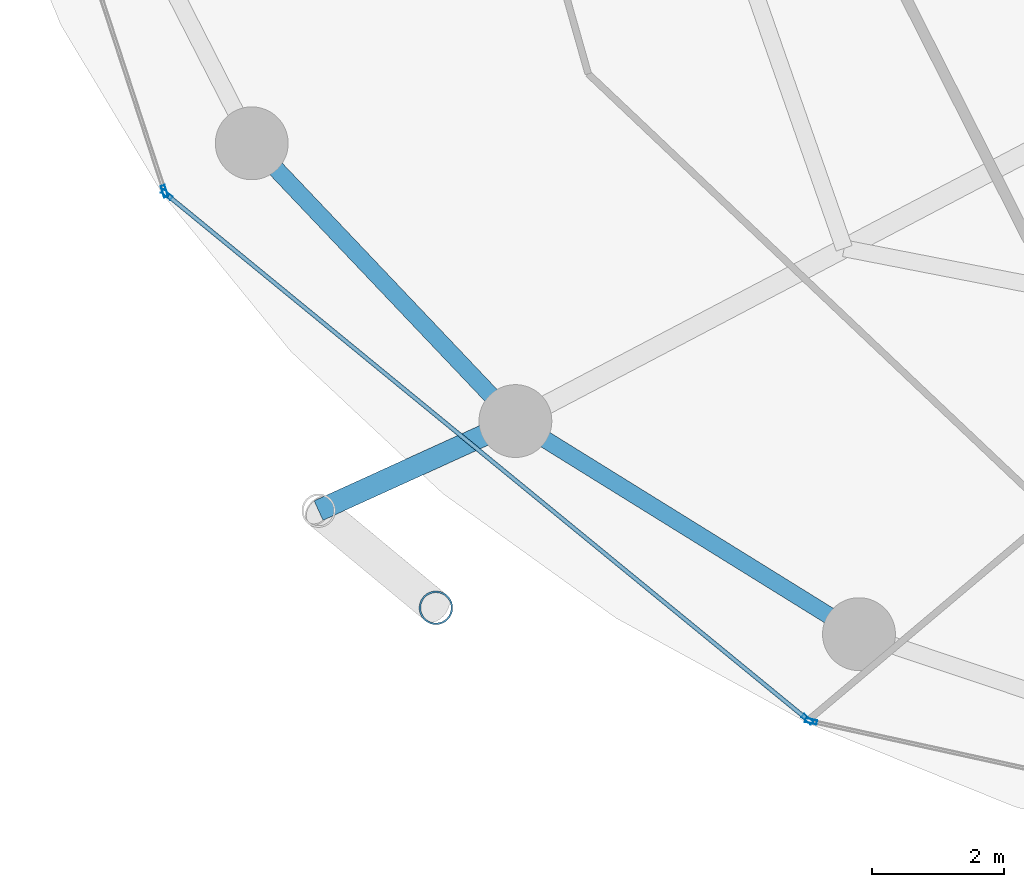
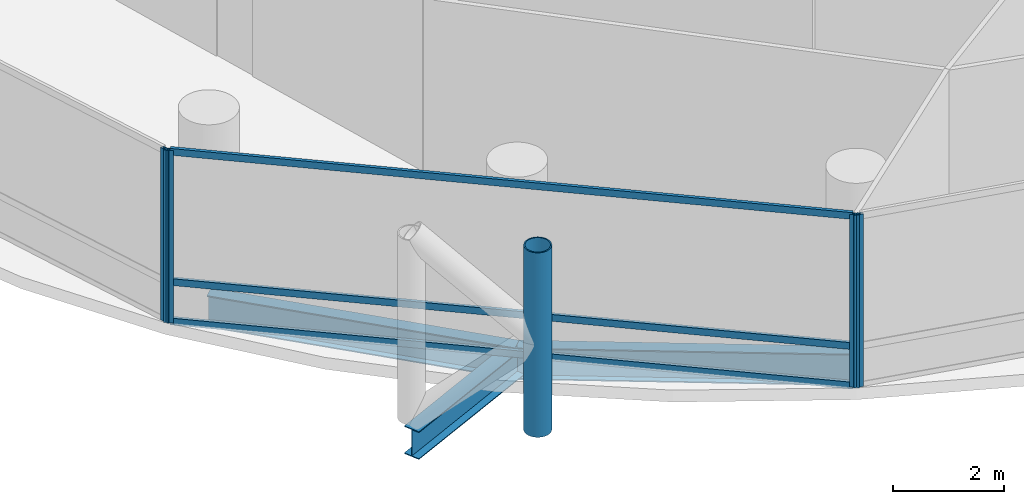
# One storey, part 2 of 24: 8 members, 3 beams, 3 elements without a shape of their own.
"""IFC4 building model written with IfcOpenShell, lengths in metres."""

import ifcopenshell
import ifcopenshell.guid

model = None  # the IFC model being written
_history = None  # IfcOwnerHistory: only IFC2X3 demands one
_inside = {}  # id of a spatial element -> (the spatial element, [elements in it])
_under = {}  # id of a project, library or spatial element -> (it, [spatial elements below it])
_declared = {}  # id of a project -> (the project, [libraries it declares])
_typed = {}  # id of a type object -> (the type object, [elements of that type])
_made_of = {}  # id of a material, layer set ... -> (it, [elements and type objects made of it])


def new_model(schema):
    """Start an empty IFC model of exactly this schema.

    Asked for "IFC4X3", IfcOpenShell would pick the latest addendum, in which some entities
    have other attributes; the version numbers below select the first issue.
    IFC2X3 requires an IfcOwnerHistory on every rooted entity: one is made here for all.
    """
    global model, _history
    if schema == "IFC4X3":
        model = ifcopenshell.file(schema_version=(4, 3, 0, 0))
    else:
        model = ifcopenshell.file(schema=schema)
    _inside.clear()
    _under.clear()
    _declared.clear()
    _typed.clear()
    _made_of.clear()
    _history = None
    if model.schema == "IFC2X3":
        org = make("IfcOrganization", Name="unknown")
        user = make(
            "IfcPersonAndOrganization",
            ThePerson=make("IfcPerson", FamilyName="unknown"),
            TheOrganization=org,
        )
        app = make(
            "IfcApplication",
            ApplicationDeveloper=org,
            Version="unknown",
            ApplicationFullName="unknown",
            ApplicationIdentifier="unknown",
        )
        _history = make(
            "IfcOwnerHistory",
            OwningUser=user,
            OwningApplication=app,
            ChangeAction="ADDED",
            CreationDate=0,
        )
    return model


def make(cls, **values):
    """One entity of the class cls with the attributes given. An attribute that is None is left unset."""
    return model.create_entity(
        cls, **{name: value for name, value in values.items() if value is not None}
    )


def rooted(cls, **values):
    """An entity with a GlobalId (a new one), such as an element, a storey or a relation."""
    return make(cls, GlobalId=ifcopenshell.guid.new(), OwnerHistory=_history, **values)


def si_unit(unit_type, name, prefix=None):
    """IfcSIUnit, for example si_unit("LENGTHUNIT", "METRE", prefix="MILLI")."""
    return make("IfcSIUnit", UnitType=unit_type, Prefix=prefix, Name=name)


def assignment(units):
    """IfcUnitAssignment: the units of a project."""
    return None if units is None else make("IfcUnitAssignment", Units=units)


def point(xyz):
    """IfcCartesianPoint."""
    return None if xyz is None else make("IfcCartesianPoint", Coordinates=xyz)


def direction(xyz):
    """IfcDirection."""
    return None if xyz is None else make("IfcDirection", DirectionRatios=xyz)


def frame(location, z_axis=None, x_axis=None):
    """IfcAxis2Placement3D, a coordinate frame: its origin and axes. An axis left out is left unset."""
    return make(
        "IfcAxis2Placement3D",
        Location=point(location),
        Axis=direction(z_axis),
        RefDirection=direction(x_axis),
    )


def frame_2d(location, x_axis=None):
    """IfcAxis2Placement2D, a coordinate frame in the plane: its origin and x axis."""
    return make(
        "IfcAxis2Placement2D", Location=point(location), RefDirection=direction(x_axis)
    )


def origin():
    """The frame at (0, 0, 0) with its axes left unset."""
    return frame((0.0, 0.0, 0.0))


def origin_2d():
    """The frame at (0, 0) in the plane with its x axis left unset."""
    return frame_2d((0.0, 0.0))


def place(relative_to, where):
    """IfcLocalPlacement: puts the frame where relative to a parent placement (None: the world)."""
    return make(
        "IfcLocalPlacement", PlacementRelTo=relative_to, RelativePlacement=where
    )


def context(
    kind, dimensions, precision=None, world=None, true_north=None, identifier=None
):
    """IfcGeometricRepresentationContext, for example the 3D "Model" context."""
    return make(
        "IfcGeometricRepresentationContext",
        ContextIdentifier=identifier,
        ContextType=kind,
        CoordinateSpaceDimension=dimensions,
        Precision=precision,
        WorldCoordinateSystem=world,
        TrueNorth=true_north,
    )


def subcontext(parent, identifier, kind, view, scale=None):
    """IfcGeometricRepresentationSubContext, for example "Body" below "Model"."""
    return make(
        "IfcGeometricRepresentationSubContext",
        ContextIdentifier=identifier,
        ContextType=kind,
        ParentContext=parent,
        TargetScale=scale,
        TargetView=view,
    )


def project(units=None, contexts=None):
    """IfcProject with its units and contexts."""
    return rooted(
        "IfcProject",
        Name="project",
        RepresentationContexts=contexts,
        UnitsInContext=assignment(units),
    )


def spatial(cls, under=None, at=None, **own):
    """A site, building, storey or space (cls), placed at a placement, below another one or the project."""
    s = rooted(cls, ObjectPlacement=at, **own)
    if under is not None:
        _under.setdefault(under.id(), (under, []))[1].append(s)
    return s


def profile(cls, at=None, kind="AREA", **sizes):
    """A parametric profile (cls). Its sizes go by their IFC names, for example OverallWidth=200.0."""
    return make(cls, ProfileType=kind, Position=at, **sizes)


def hollow_rectangle(**sizes):
    """IfcRectangleHollowProfileDef."""
    return profile("IfcRectangleHollowProfileDef", **sizes)


def hollow_circle(**sizes):
    """IfcCircleHollowProfileDef."""
    return profile("IfcCircleHollowProfileDef", **sizes)


def i_section(**sizes):
    """IfcIShapeProfileDef."""
    return profile("IfcIShapeProfileDef", **sizes)


def extrude(swept, where, along, depth):
    """IfcExtrudedAreaSolid: the profile swept, set in the frame where, extruded along a direction by depth."""
    return make(
        "IfcExtrudedAreaSolid",
        SweptArea=swept,
        Position=where,
        ExtrudedDirection=direction(along),
        Depth=depth,
    )


def shape(context_of_items, identifier, shape_type, items):
    """IfcShapeRepresentation: the items that make up one representation, for example the "Body"."""
    return make(
        "IfcShapeRepresentation",
        ContextOfItems=context_of_items,
        RepresentationIdentifier=identifier,
        RepresentationType=shape_type,
        Items=items,
    )


def material(Name=None, Category=None):
    """IfcMaterial."""
    return make("IfcMaterial", Name=Name, Category=Category)


def layer(
    of_material, thickness, ventilated=None, Name=None, Category=None, Priority=None
):
    """IfcMaterialLayer: one layer of a wall or slab, of a material (None: an air gap)."""
    return make(
        "IfcMaterialLayer",
        Material=of_material,
        LayerThickness=thickness,
        IsVentilated=ventilated,
        Name=Name,
        Category=Category,
        Priority=Priority,
    )


def layer_set(layers, Name=None):
    """IfcMaterialLayerSet."""
    return make("IfcMaterialLayerSet", MaterialLayers=layers, LayerSetName=Name)


def material_profile(
    of_material, cross_section, Name=None, Category=None, Priority=None
):
    """IfcMaterialProfile: a cross section and its material."""
    return make(
        "IfcMaterialProfile",
        Name=Name,
        Material=of_material,
        Profile=cross_section,
        Priority=Priority,
        Category=Category,
    )


def profile_set(profiles, Name=None, composite=None):
    """IfcMaterialProfileSet."""
    return make(
        "IfcMaterialProfileSet",
        Name=Name,
        MaterialProfiles=profiles,
        CompositeProfile=composite,
    )


def made_of(thing, what):
    """Note that an element or type object is made of a material, layer set ...; save() writes the relation."""
    if what is not None:
        _made_of.setdefault(what.id(), (what, []))[1].append(thing)
    return thing


def type_object(cls, material=None, **own):
    """A type object (cls), such as IfcWallType, which elements share."""
    return made_of(rooted(cls, **own), material)


def element(
    cls,
    number,
    at=None,
    inside=None,
    cuts=None,
    type_object=None,
    material=None,
    context=None,
    identifier="Body",
    shape_type=None,
    held_by="IfcProductDefinitionShape",
    body=None,
    shapes=None,
    **own,
):
    """One element of the class cls, such as IfcWall. Its Tag is "e" and its number.

    at: its placement. inside: the storey or other place that contains it. cuts: it is an
    opening in that element (IfcRelVoidsElement). A single representation is given by context,
    identifier, shape_type and body (its items); several are given by shapes. held_by: the class
    of the entity that holds the representations. save() writes the other relations.
    """
    e = rooted(cls, Tag="e%d" % number, ObjectPlacement=at, **own)
    if body is not None:
        shapes = [shape(context, identifier, shape_type, body)]
    if shapes is not None:
        e.Representation = make(held_by, Representations=shapes)
    if inside is not None:
        _inside.setdefault(inside.id(), (inside, []))[1].append(e)
    if cuts is not None:
        rooted(
            "IfcRelVoidsElement", RelatingBuildingElement=cuts, RelatedOpeningElement=e
        )
    if type_object is not None:
        _typed.setdefault(type_object.id(), (type_object, []))[1].append(e)
    return made_of(e, material)


def aggregate(whole, parts):
    """IfcRelAggregates: a whole, such as a stair, and the parts it consists of."""
    return rooted("IfcRelAggregates", RelatingObject=whole, RelatedObjects=parts)


def save(model, path):
    """Write the relations noted so far, then the file.

    IfcRelAggregates (storeys below a building ...), IfcRelContainedInSpatialStructure (elements
    in a storey), IfcRelDefinesByType, IfcRelAssociatesMaterial and IfcRelDeclares: one each for
    every whole, place, type object, material and project.
    """
    for whole, parts in _under.values():
        aggregate(whole, parts)
    for where, things in _inside.values():
        rooted(
            "IfcRelContainedInSpatialStructure",
            RelatedElements=things,
            RelatingStructure=where,
        )
    for kind, things in _typed.values():
        rooted("IfcRelDefinesByType", RelatedObjects=things, RelatingType=kind)
    for what, things in _made_of.values():
        rooted("IfcRelAssociatesMaterial", RelatedObjects=things, RelatingMaterial=what)
    for by, libraries in _declared.values():
        rooted("IfcRelDeclares", RelatingContext=by, RelatedDefinitions=libraries)
    model.write(path)


model = new_model("IFC4")

# Units and contexts
model_context = context("Model", 3, precision=1e-05, world=origin(), true_north=direction((0.0, 1.0)))
body_context = subcontext(model_context, "Body", "Model", "MODEL_VIEW")
ifc_project = project(units=[si_unit("LENGTHUNIT", "METRE"), si_unit("AREAUNIT", "SQUARE_METRE"), si_unit("VOLUMEUNIT", "CUBIC_METRE"), si_unit("PLANEANGLEUNIT", "RADIAN"), si_unit("MASSUNIT", "GRAM", prefix="KILO")], contexts=[model_context])

# Site, building, storey
site_placement = place(None, origin())
site = spatial("IfcSite", under=ifc_project, at=site_placement, CompositionType="ELEMENT")
building_placement = place(site_placement, origin())
building = spatial("IfcBuilding", under=site, at=building_placement, Name="Nuhasar Tower", CompositionType="ELEMENT")
storey_placement = place(building_placement, frame((0.0, 0.0, 41.25)))
storey = spatial("IfcBuildingStorey", under=building, at=storey_placement, Name="L09", CompositionType="ELEMENT", Elevation=41.25)

# Beams
ifc_material_1 = material(Name="Steel S355", Category="steel")
ifc_material_profile_1 = material_profile(ifc_material_1, i_section(OverallWidth=0.256103515625, OverallDepth=0.693115234375, WebThickness=0.014404296875, FlangeThickness=0.023681640625, at=origin_2d()), Name="W27X114")
ifc_profile_set_1 = profile_set([ifc_material_profile_1], Name="Steel S355")
beam_type_1 = type_object("IfcBeamType", Name="BM-RING-W27X114", PredefinedType="SPANDREL", material=ifc_profile_set_1)
beam_1_placement = place(storey_placement, frame((17.305908203125, 16.675048828125, -0.60595703125), z_axis=(0.688459812429, -0.725274490569, 0.0), x_axis=(0.725274490569, 0.688459812429, 0.0)))
element("IfcBeam", 1, at=beam_1_placement, inside=storey, type_object=beam_type_1, Name="L09 Perimeter Ring Spandrel 15", PredefinedType="SPANDREL", context=body_context, shape_type="SweptSolid", body=[
    extrude(i_section(OverallWidth=0.256103515625, OverallDepth=0.693115234375, WebThickness=0.014404296875, FlangeThickness=0.023681640625, at=origin_2d()), origin(), (0.0, 0.0, 1.0), 5.78271484375),
])
beam_2_placement = place(storey_placement, frame((21.287109375, 12.48095703125, -0.60595703125), z_axis=(0.849795216549, -0.527112976439, 0.0), x_axis=(0.527112976439, 0.849795216549, 0.0)))
element("IfcBeam", 2, at=beam_2_placement, inside=storey, type_object=beam_type_1, Name="L09 Perimeter Ring Spandrel 16", PredefinedType="SPANDREL", context=body_context, shape_type="SweptSolid", body=[
    extrude(i_section(OverallWidth=0.256103515625, OverallDepth=0.693115234375, WebThickness=0.014404296875, FlangeThickness=0.023681640625, at=origin_2d()), origin(), (0.0, 0.0, 1.0), 6.10498046875),
])
ifc_material_profile_2 = material_profile(ifc_material_1, i_section(OverallWidth=0.323974609375, OverallDepth=0.611083984375, WebThickness=0.0126953125, FlangeThickness=0.01904296875, at=origin_2d()), Name="W24X104")
ifc_profile_set_2 = profile_set([ifc_material_profile_2], Name="Steel S355")
beam_type_2 = type_object("IfcBeamType", Name="BM-TIE-W24X104", PredefinedType="BEAM", material=ifc_profile_set_2)
beam_3_placement = place(storey_placement, frame((21.287109375, 12.48095703125, -0.56591796875), z_axis=(-0.910243528587, -0.414073325227, 0.0), x_axis=(0.414073325227, -0.910243528587, 0.0)))
element("IfcBeam", 3, at=beam_3_placement, inside=storey, type_object=beam_type_2, Name="L09 Exoskeleton Node Tie Beam 08", PredefinedType="BEAM", context=body_context, shape_type="SweptSolid", body=[
    extrude(i_section(OverallWidth=0.323974609375, OverallDepth=0.611083984375, WebThickness=0.0126953125, FlangeThickness=0.01904296875, at=origin_2d()), origin(), (0.0, 0.0, 1.0), 3.26513671875),
])

# Curtain wall, member
ifc_material_2 = material(Name="Aluminium 6063-T6", Category="aluminium")
ifc_layer = layer(ifc_material_2, 0.199951171875)
ifc_layer_set = layer_set([ifc_layer], Name="Aluminium 6063-T6")
curtain_wall_type = type_object("IfcCurtainWallType", Name="CW-Z1-OFF", PredefinedType="NOTDEFINED", material=ifc_layer_set)
curtain_wall_1_placement = place(storey_placement, origin())
curtain_wall_1 = element("IfcCurtainWall", 4, at=curtain_wall_1_placement, inside=storey, type_object=curtain_wall_type, Name="L09 Unitised Curtain Wall 07", PredefinedType="NOTDEFINED")
ifc_material_profile_3 = material_profile(ifc_material_2, hollow_rectangle(XDim=0.06494140625, YDim=0.179931640625, WallThickness=0.0048828125, at=origin_2d()), Name="CWM-2")
ifc_profile_set_3 = profile_set([ifc_material_profile_3], Name="Aluminium 6063-T6")
member_type_1 = type_object("IfcMemberType", Name="CW-MUL-S2", PredefinedType="MULLION", material=ifc_profile_set_3)
member_1_placement = place(storey_placement, frame((15.98779296875, 15.950927734375, 0.0), z_axis=(0.0, 0.0, 1.0), x_axis=(0.950467534571, 0.310823849997, 0.0)))
member_1 = element("IfcMember", 5, at=member_1_placement, type_object=member_type_1, Name="CW-Z1 mullion 2", PredefinedType="MULLION", context=body_context, shape_type="SweptSolid", body=[
    extrude(hollow_rectangle(XDim=0.06494140625, YDim=0.179931640625, WallThickness=0.0048828125, at=origin_2d()), origin(), (0.0, 0.0, 1.0), 3.7900390625),
])
aggregate(curtain_wall_1, [member_1])

# Curtain wall, members
curtain_wall_2_placement = place(storey_placement, origin())
curtain_wall_2 = element("IfcCurtainWall", 6, at=curtain_wall_2_placement, inside=storey, type_object=curtain_wall_type, Name="L09 Unitised Curtain Wall 08", PredefinedType="NOTDEFINED")
member_2_placement = place(storey_placement, frame((16.023193359375, 15.8994140625, 0.0), z_axis=(0.0, 0.0, 1.0), x_axis=(0.633744593376, 0.773542364946, 0.0)))
member_2 = element("IfcMember", 7, at=member_2_placement, type_object=member_type_1, Name="CW-Z1 mullion 1", PredefinedType="MULLION", context=body_context, shape_type="SweptSolid", body=[
    extrude(hollow_rectangle(XDim=0.06494140625, YDim=0.179931640625, WallThickness=0.0048828125, at=origin_2d()), origin(), (0.0, 0.0, 1.0), 3.7900390625),
])
member_3_placement = place(storey_placement, frame((25.69482421875, 7.9755859375, 0.0), z_axis=(0.0, 0.0, 1.0), x_axis=(0.633744593376, 0.773542364946, 0.0)))
member_3 = element("IfcMember", 8, at=member_3_placement, type_object=member_type_1, Name="CW-Z1 mullion 2", PredefinedType="MULLION", context=body_context, shape_type="SweptSolid", body=[
    extrude(hollow_rectangle(XDim=0.06494140625, YDim=0.179931640625, WallThickness=0.0048828125, at=origin_2d()), origin(), (0.0, 0.0, 1.0), 3.7900390625),
])

# Curtain wall, member
curtain_wall_3_placement = place(storey_placement, origin())
curtain_wall_3 = element("IfcCurtainWall", 9, at=curtain_wall_3_placement, inside=storey, type_object=curtain_wall_type, Name="L09 Unitised Curtain Wall 09", PredefinedType="NOTDEFINED")
member_4_placement = place(storey_placement, frame((25.751708984375, 7.947998046875, 0.0), z_axis=(0.0, 0.0, 1.0), x_axis=(0.214398737637, 0.976746221544, 0.0)))
member_4 = element("IfcMember", 10, at=member_4_placement, type_object=member_type_1, Name="CW-Z1 mullion 1", PredefinedType="MULLION", context=body_context, shape_type="SweptSolid", body=[
    extrude(hollow_rectangle(XDim=0.06494140625, YDim=0.179931640625, WallThickness=0.0048828125, at=origin_2d()), origin(), (0.0, 0.0, 1.0), 3.7900390625),
])
aggregate(curtain_wall_3, [member_4])

# Member
ifc_material_profile_4 = material_profile(ifc_material_2, hollow_rectangle(XDim=0.06494140625, YDim=0.14990234375, WallThickness=0.00439453125, at=origin_2d()), Name="CWT-2")
ifc_profile_set_4 = profile_set([ifc_material_profile_4], Name="Aluminium 6063-T6")
member_type_2 = type_object("IfcMemberType", Name="CW-TRN-S2", PredefinedType="USERDEFINED", material=ifc_profile_set_4)
member_5_placement = place(storey_placement, frame((16.04833984375, 15.87890625, 0.032470703125), z_axis=(0.773531229158, -0.633758185365, 0.0), x_axis=(0.633758185365, 0.773531229158, 0.0)))
member_5 = element("IfcMember", 11, at=member_5_placement, type_object=member_type_2, Name="CW-Z1 transom 1.1", ObjectType="TRANSOM", PredefinedType="USERDEFINED", context=body_context, shape_type="SweptSolid", body=[
    extrude(hollow_rectangle(XDim=0.06494140625, YDim=0.14990234375, WallThickness=0.00439453125, at=origin_2d()), origin(), (0.0, 0.0, 1.0), 12.438232421875),
])

member_6_placement = place(storey_placement, frame((16.04833984375, 15.87890625, 0.89990234375), z_axis=(0.773531229158, -0.633758185365, 0.0), x_axis=(0.633758185365, 0.773531229158, 0.0)))
member_6 = element("IfcMember", 12, at=member_6_placement, type_object=member_type_2, Name="CW-Z1 transom 1.2", ObjectType="TRANSOM", PredefinedType="USERDEFINED", context=body_context, shape_type="SweptSolid", body=[
    extrude(hollow_rectangle(XDim=0.06494140625, YDim=0.14990234375, WallThickness=0.00439453125, at=origin_2d()), origin(), (0.0, 0.0, 1.0), 12.438232421875),
])

member_7_placement = place(storey_placement, frame((16.04833984375, 15.87890625, 3.757568359375), z_axis=(0.773531229158, -0.633758185365, 0.0), x_axis=(0.633758185365, 0.773531229158, 0.0)))
member_7 = element("IfcMember", 13, at=member_7_placement, type_object=member_type_2, Name="CW-Z1 transom 1.3", ObjectType="TRANSOM", PredefinedType="USERDEFINED", context=body_context, shape_type="SweptSolid", body=[
    extrude(hollow_rectangle(XDim=0.06494140625, YDim=0.14990234375, WallThickness=0.00439453125, at=origin_2d()), origin(), (0.0, 0.0, 1.0), 12.438232421875),
])

aggregate(curtain_wall_2, [member_2, member_3, member_5, member_6, member_7])

ifc_material_3 = material(Name="Steel S460", Category="steel")
ifc_material_profile_5 = material_profile(ifc_material_3, hollow_circle(Radius=0.25390625, WallThickness=0.025390625, at=origin_2d()), Name="HSS508X25.4")
ifc_profile_set_5 = profile_set([ifc_material_profile_5], Name="Steel S460")
member_type_3 = type_object("IfcMemberType", Name="EXO-BRONZE-508", PredefinedType="BRACE", material=ifc_profile_set_5)
member_8_placement = place(storey_placement, frame((20.0869140625, 9.660888671875, 0.0), z_axis=(0.0, 0.0, 1.0), x_axis=(1.0, 0.0, 0.0)))
element("IfcMember", 14, at=member_8_placement, inside=storey, type_object=member_type_3, Name="L09 Exoskeleton Chord Column EC-08B", PredefinedType="BRACE", context=body_context, shape_type="SweptSolid", body=[
    extrude(hollow_circle(Radius=0.25390625, WallThickness=0.025390625, at=origin_2d()), origin(), (0.0, 0.0, 1.0), 4.050048828125),
])

save(model, "model.ifc")
